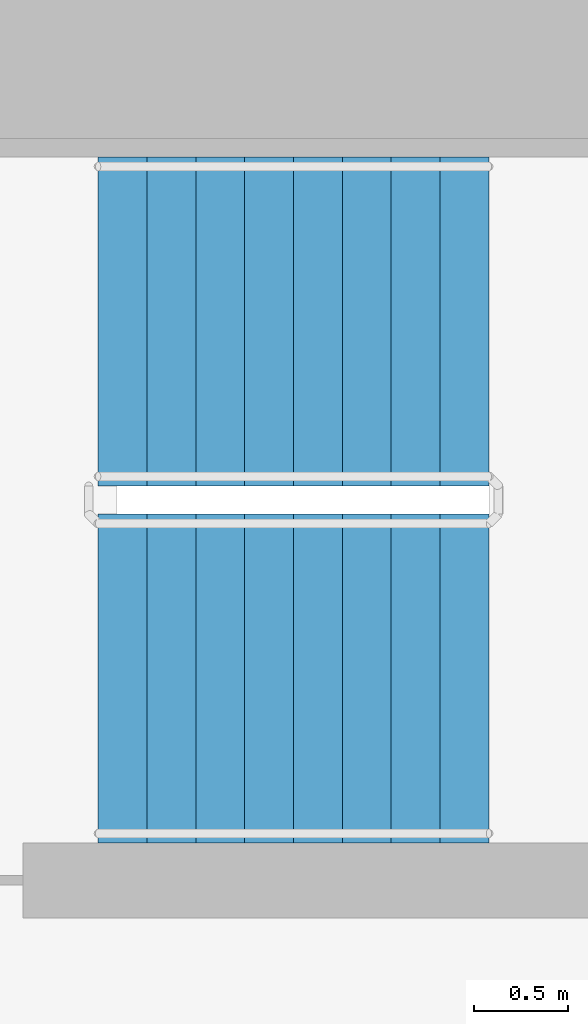
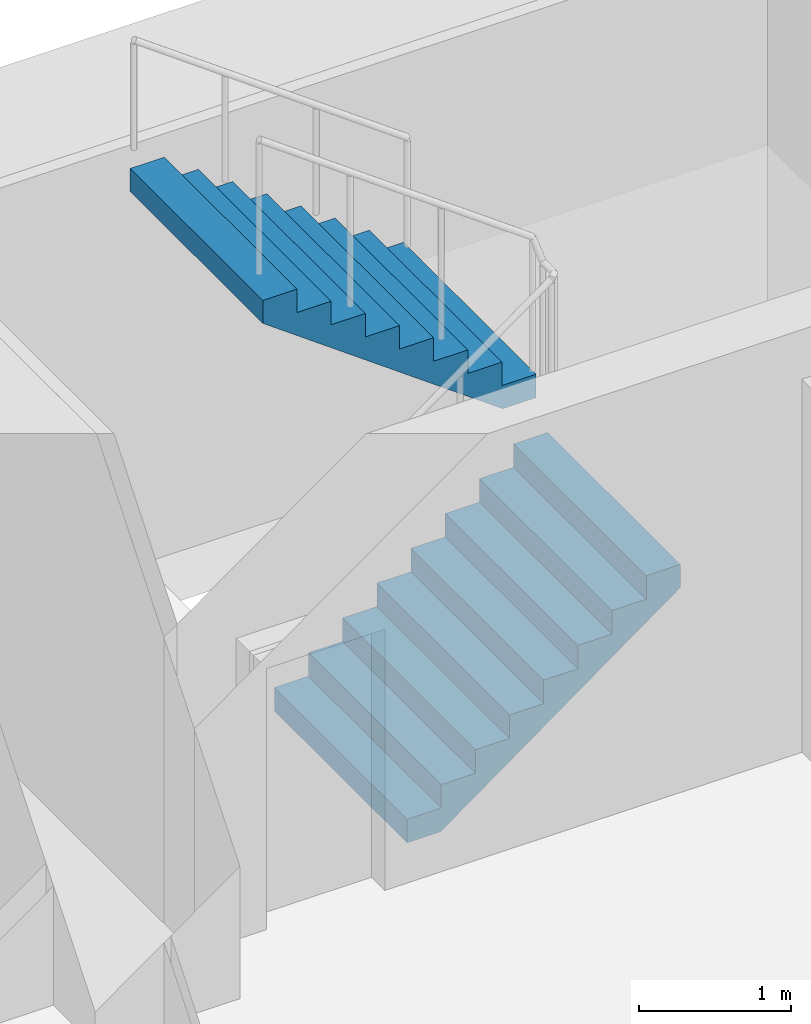
# One storey, part 18 of 22: 2 stair flights, 1 element without a shape of its own.
"""IFC4 building model written with IfcOpenShell, lengths in metres."""

from ifc_helpers import new_model, si_unit, direction, frame, origin, place, context, subcontext, project, spatial, faceted_brep, material, type_object, element, aggregate, save


model = new_model("IFC4")

# Units and contexts
model_context = context("Model", 3, precision=1e-05, world=origin(), true_north=direction((0.0, 1.0)))
body_context = subcontext(model_context, "Body", "Model", "MODEL_VIEW")
ifc_project = project(units=[si_unit("LENGTHUNIT", "METRE"), si_unit("AREAUNIT", "SQUARE_METRE"), si_unit("VOLUMEUNIT", "CUBIC_METRE"), si_unit("PLANEANGLEUNIT", "RADIAN"), si_unit("MASSUNIT", "GRAM", prefix="KILO")], contexts=[model_context])

# Site, building, storey
site_placement = place(None, origin())
site = spatial("IfcSite", under=ifc_project, at=site_placement, CompositionType="ELEMENT")
building_placement = place(site_placement, origin())
building = spatial("IfcBuilding", under=site, at=building_placement, Name="Ipe Terrace Towers", CompositionType="ELEMENT")
storey_placement = place(building_placement, frame((0.0, 0.0, 61.89990234375)))
storey = spatial("IfcBuildingStorey", under=building, at=storey_placement, Name="L16", CompositionType="ELEMENT", Elevation=61.89990234375)

# Stair, stair flights
ifc_material_1 = material(Name="Concrete C30/37", Category="concrete")
stair_type = type_object("IfcStairType", Name="Protected exit stair", PredefinedType="HALF_TURN_STAIR", material=ifc_material_1)
stair_placement = place(storey_placement, origin())
stair = element("IfcStair", 1, at=stair_placement, inside=storey, type_object=stair_type, Name="L16 Exit stair T1-C1", PredefinedType="HALF_TURN_STAIR")
ifc_material_2 = material(Name="Concrete C30/37", Category="concrete")
stair_flight_type = type_object("IfcStairFlightType", Name="Exit stair flight 1750", PredefinedType="STRAIGHT", material=ifc_material_2)
stair_flight_1_placement = place(storey_placement, frame((-26.300048828125, 2.77490234375, 0.0), z_axis=(0.0, 0.0, 1.0), x_axis=(1.0, 0.0, 0.0)))
stair_flight_1 = element("IfcStairFlight", 2, at=stair_flight_1_placement, type_object=stair_flight_type, Name="T1-ST1 flight 1", NumberOfRisers=9, NumberOfTreads=8, PredefinedType="STRAIGHT", RiserHeight=0.188888889, TreadLength=0.26, context=body_context, shape_type="Brep", body=[
    faceted_brep([(0.255126953125, -0.875, 0.0), (2.080078125, -0.875, 1.325927734375), (2.080078125, -0.875, 1.51123046875), (1.820068359375, -0.875, 1.51123046875), (1.820068359375, -0.875, 1.322265625), (1.56005859375, -0.875, 1.322265625), (1.56005859375, -0.875, 1.13330078125), (1.300048828125, -0.875, 1.13330078125), (1.300048828125, -0.875, 0.9443359375), (1.0400390625, -0.875, 0.9443359375), (1.0400390625, -0.875, 0.755615234375), (0.780029296875, -0.875, 0.755615234375), (0.780029296875, -0.875, 0.566650390625), (0.52001953125, -0.875, 0.566650390625), (0.52001953125, -0.875, 0.377685546875), (0.260009765625, -0.875, 0.377685546875), (0.260009765625, -0.875, 0.18896484375), (0.0, -0.875, 0.18896484375), (0.0, -0.875, 0.0), (0.0, 0.875, 0.0), (0.0, 0.875, 0.18896484375), (0.260009765625, 0.875, 0.18896484375), (0.260009765625, 0.875, 0.377685546875), (0.52001953125, 0.875, 0.377685546875), (0.52001953125, 0.875, 0.566650390625), (0.780029296875, 0.875, 0.566650390625), (0.780029296875, 0.875, 0.755615234375), (1.0400390625, 0.875, 0.755615234375), (1.0400390625, 0.875, 0.9443359375), (1.300048828125, 0.875, 0.9443359375), (1.300048828125, 0.875, 1.13330078125), (1.56005859375, 0.875, 1.13330078125), (1.56005859375, 0.875, 1.322265625), (1.820068359375, 0.875, 1.322265625), (1.820068359375, 0.875, 1.51123046875), (2.080078125, 0.875, 1.51123046875), (2.080078125, 0.875, 1.325927734375), (0.255126953125, 0.875, 0.0), (0.0, -0.300048828125, 0.18896484375), (0.0, -0.1201171875, 0.18896484375), (0.0, -0.06005859375, 0.18896484375), (0.0, -0.030029296875, 0.18896484375), (0.0, -0.010009765625, 0.18896484375), (0.0, 0.0, 0.18896484375), (0.0, 0.010009765625, 0.18896484375), (0.0, 0.030029296875, 0.18896484375), (0.0, 0.06005859375, 0.18896484375), (0.0, 0.1201171875, 0.18896484375), (0.0, 0.300048828125, 0.18896484375), (0.0, 0.300048828125, 0.0), (0.0, 0.1201171875, 0.0), (0.0, 0.06005859375, 0.0), (0.0, 0.030029296875, 0.0), (0.0, 0.010009765625, 0.0), (0.0, 0.0, 0.0), (0.0, -0.010009765625, 0.0), (0.0, -0.030029296875, 0.0), (0.0, -0.06005859375, 0.0), (0.0, -0.1201171875, 0.0), (0.0, -0.300048828125, 0.0), (0.260009765625, -0.300048828125, 0.18896484375), (0.260009765625, -0.1201171875, 0.18896484375), (0.260009765625, -0.06005859375, 0.18896484375), (0.260009765625, -0.030029296875, 0.18896484375), (0.260009765625, -0.010009765625, 0.18896484375), (0.260009765625, 0.0, 0.18896484375), (0.260009765625, 0.010009765625, 0.18896484375), (0.260009765625, 0.030029296875, 0.18896484375), (0.260009765625, 0.06005859375, 0.18896484375), (0.260009765625, 0.1201171875, 0.18896484375), (0.260009765625, 0.300048828125, 0.18896484375), (0.260009765625, -0.300048828125, 0.377685546875), (0.260009765625, -0.1201171875, 0.377685546875), (0.260009765625, -0.06005859375, 0.377685546875), (0.260009765625, -0.030029296875, 0.377685546875), (0.260009765625, -0.010009765625, 0.377685546875), (0.260009765625, 0.0, 0.377685546875), (0.260009765625, 0.010009765625, 0.377685546875), (0.260009765625, 0.030029296875, 0.377685546875), (0.260009765625, 0.06005859375, 0.377685546875), (0.260009765625, 0.1201171875, 0.377685546875), (0.260009765625, 0.300048828125, 0.377685546875), (0.52001953125, -0.300048828125, 0.377685546875), (0.52001953125, -0.1201171875, 0.377685546875), (0.52001953125, -0.06005859375, 0.377685546875), (0.52001953125, -0.030029296875, 0.377685546875), (0.52001953125, -0.010009765625, 0.377685546875), (0.52001953125, 0.0, 0.377685546875), (0.52001953125, 0.010009765625, 0.377685546875), (0.52001953125, 0.030029296875, 0.377685546875), (0.52001953125, 0.06005859375, 0.377685546875), (0.52001953125, 0.1201171875, 0.377685546875), (0.52001953125, 0.300048828125, 0.377685546875), (0.52001953125, -0.300048828125, 0.566650390625), (0.52001953125, -0.1201171875, 0.566650390625), (0.52001953125, -0.06005859375, 0.566650390625), (0.52001953125, -0.030029296875, 0.566650390625), (0.52001953125, -0.010009765625, 0.566650390625), (0.52001953125, 0.0, 0.566650390625), (0.52001953125, 0.010009765625, 0.566650390625), (0.52001953125, 0.030029296875, 0.566650390625), (0.52001953125, 0.06005859375, 0.566650390625), (0.52001953125, 0.1201171875, 0.566650390625), (0.52001953125, 0.300048828125, 0.566650390625), (0.780029296875, -0.300048828125, 0.566650390625), (0.780029296875, -0.1201171875, 0.566650390625), (0.780029296875, -0.06005859375, 0.566650390625), (0.780029296875, -0.030029296875, 0.566650390625), (0.780029296875, -0.010009765625, 0.566650390625), (0.780029296875, 0.0, 0.566650390625), (0.780029296875, 0.010009765625, 0.566650390625), (0.780029296875, 0.030029296875, 0.566650390625), (0.780029296875, 0.06005859375, 0.566650390625), (0.780029296875, 0.1201171875, 0.566650390625), (0.780029296875, 0.300048828125, 0.566650390625), (0.780029296875, -0.300048828125, 0.755615234375), (0.780029296875, -0.1201171875, 0.755615234375), (0.780029296875, -0.06005859375, 0.755615234375), (0.780029296875, -0.030029296875, 0.755615234375), (0.780029296875, -0.010009765625, 0.755615234375), (0.780029296875, 0.0, 0.755615234375), (0.780029296875, 0.010009765625, 0.755615234375), (0.780029296875, 0.030029296875, 0.755615234375), (0.780029296875, 0.06005859375, 0.755615234375), (0.780029296875, 0.1201171875, 0.755615234375), (0.780029296875, 0.300048828125, 0.755615234375), (1.0400390625, -0.300048828125, 0.755615234375), (1.0400390625, -0.1201171875, 0.755615234375), (1.0400390625, -0.06005859375, 0.755615234375), (1.0400390625, -0.030029296875, 0.755615234375), (1.0400390625, -0.010009765625, 0.755615234375), (1.0400390625, 0.0, 0.755615234375), (1.0400390625, 0.010009765625, 0.755615234375), (1.0400390625, 0.030029296875, 0.755615234375), (1.0400390625, 0.06005859375, 0.755615234375), (1.0400390625, 0.1201171875, 0.755615234375), (1.0400390625, 0.300048828125, 0.755615234375), (1.0400390625, -0.300048828125, 0.9443359375), (1.0400390625, -0.1201171875, 0.9443359375), (1.0400390625, -0.06005859375, 0.9443359375), (1.0400390625, -0.030029296875, 0.9443359375), (1.0400390625, -0.010009765625, 0.9443359375), (1.0400390625, 0.0, 0.9443359375), (1.0400390625, 0.010009765625, 0.9443359375), (1.0400390625, 0.030029296875, 0.9443359375), (1.0400390625, 0.06005859375, 0.9443359375), (1.0400390625, 0.1201171875, 0.9443359375), (1.0400390625, 0.300048828125, 0.9443359375), (1.300048828125, -0.300048828125, 0.9443359375), (1.300048828125, -0.1201171875, 0.9443359375), (1.300048828125, -0.06005859375, 0.9443359375), (1.300048828125, -0.030029296875, 0.9443359375), (1.300048828125, -0.010009765625, 0.9443359375), (1.300048828125, 0.0, 0.9443359375), (1.300048828125, 0.010009765625, 0.9443359375), (1.300048828125, 0.030029296875, 0.9443359375), (1.300048828125, 0.06005859375, 0.9443359375), (1.300048828125, 0.1201171875, 0.9443359375), (1.300048828125, 0.300048828125, 0.9443359375), (1.300048828125, -0.300048828125, 1.13330078125), (1.300048828125, -0.1201171875, 1.13330078125), (1.300048828125, -0.06005859375, 1.13330078125), (1.300048828125, -0.030029296875, 1.13330078125), (1.300048828125, -0.010009765625, 1.13330078125), (1.300048828125, 0.0, 1.13330078125), (1.300048828125, 0.010009765625, 1.13330078125), (1.300048828125, 0.030029296875, 1.13330078125), (1.300048828125, 0.06005859375, 1.13330078125), (1.300048828125, 0.1201171875, 1.13330078125), (1.300048828125, 0.300048828125, 1.13330078125), (1.56005859375, -0.300048828125, 1.13330078125), (1.56005859375, -0.1201171875, 1.13330078125), (1.56005859375, -0.06005859375, 1.13330078125), (1.56005859375, -0.030029296875, 1.13330078125), (1.56005859375, -0.010009765625, 1.13330078125), (1.56005859375, 0.0, 1.13330078125), (1.56005859375, 0.010009765625, 1.13330078125), (1.56005859375, 0.030029296875, 1.13330078125), (1.56005859375, 0.06005859375, 1.13330078125), (1.56005859375, 0.1201171875, 1.13330078125), (1.56005859375, 0.300048828125, 1.13330078125), (1.56005859375, -0.300048828125, 1.322265625), (1.56005859375, -0.1201171875, 1.322265625), (1.56005859375, -0.06005859375, 1.322265625), (1.56005859375, -0.030029296875, 1.322265625), (1.56005859375, -0.010009765625, 1.322265625), (1.56005859375, 0.0, 1.322265625), (1.56005859375, 0.010009765625, 1.322265625), (1.56005859375, 0.030029296875, 1.322265625), (1.56005859375, 0.06005859375, 1.322265625), (1.56005859375, 0.1201171875, 1.322265625), (1.56005859375, 0.300048828125, 1.322265625), (1.820068359375, -0.300048828125, 1.322265625), (1.820068359375, -0.1201171875, 1.322265625), (1.820068359375, -0.06005859375, 1.322265625), (1.820068359375, -0.030029296875, 1.322265625), (1.820068359375, -0.010009765625, 1.322265625), (1.820068359375, 0.0, 1.322265625), (1.820068359375, 0.010009765625, 1.322265625), (1.820068359375, 0.030029296875, 1.322265625), (1.820068359375, 0.06005859375, 1.322265625), (1.820068359375, 0.1201171875, 1.322265625), (1.820068359375, 0.300048828125, 1.322265625), (1.820068359375, -0.300048828125, 1.51123046875), (1.820068359375, -0.1201171875, 1.51123046875), (1.820068359375, -0.06005859375, 1.51123046875), (1.820068359375, -0.030029296875, 1.51123046875), (1.820068359375, -0.010009765625, 1.51123046875), (1.820068359375, 0.0, 1.51123046875), (1.820068359375, 0.010009765625, 1.51123046875), (1.820068359375, 0.030029296875, 1.51123046875), (1.820068359375, 0.06005859375, 1.51123046875), (1.820068359375, 0.1201171875, 1.51123046875), (1.820068359375, 0.300048828125, 1.51123046875), (2.080078125, -0.300048828125, 1.51123046875), (2.080078125, -0.1201171875, 1.51123046875), (2.080078125, -0.06005859375, 1.51123046875), (2.080078125, -0.030029296875, 1.51123046875), (2.080078125, -0.010009765625, 1.51123046875), (2.080078125, 0.0, 1.51123046875), (2.080078125, 0.010009765625, 1.51123046875), (2.080078125, 0.030029296875, 1.51123046875), (2.080078125, 0.06005859375, 1.51123046875), (2.080078125, 0.1201171875, 1.51123046875), (2.080078125, 0.300048828125, 1.51123046875), (2.080078125, -0.300048828125, 1.325927734375), (2.080078125, -0.1201171875, 1.325927734375), (2.080078125, -0.06005859375, 1.325927734375), (2.080078125, -0.030029296875, 1.325927734375), (2.080078125, -0.010009765625, 1.325927734375), (2.080078125, 0.0, 1.325927734375), (2.080078125, 0.010009765625, 1.325927734375), (2.080078125, 0.030029296875, 1.325927734375), (2.080078125, 0.06005859375, 1.325927734375), (2.080078125, 0.1201171875, 1.325927734375), (2.080078125, 0.300048828125, 1.325927734375), (0.255126953125, -0.300048828125, 0.0), (0.255126953125, -0.1201171875, 0.0), (0.255126953125, -0.06005859375, 0.0), (0.255126953125, -0.030029296875, 0.0), (0.255126953125, -0.010009765625, 0.0), (0.255126953125, 0.0, 0.0), (0.255126953125, 0.010009765625, 0.0), (0.255126953125, 0.030029296875, 0.0), (0.255126953125, 0.06005859375, 0.0), (0.255126953125, 0.1201171875, 0.0), (0.255126953125, 0.300048828125, 0.0)], [[[0, 1, 2, 3, 4, 5, 6, 7, 8, 9, 10, 11, 12, 13, 14, 15, 16, 17, 18]], [[19, 20, 21, 22, 23, 24, 25, 26, 27, 28, 29, 30, 31, 32, 33, 34, 35, 36, 37]], [[17, 38, 39, 40, 41, 42, 43, 44, 45, 46, 47, 48, 20, 19, 49, 50, 51, 52, 53, 54, 55, 56, 57, 58, 59, 18]], [[16, 60, 61, 62, 63, 64, 65, 66, 67, 68, 69, 70, 21, 20, 48, 47, 46, 45, 44, 43, 42, 41, 40, 39, 38, 17]], [[15, 71, 72, 73, 74, 75, 76, 77, 78, 79, 80, 81, 22, 21, 70, 69, 68, 67, 66, 65, 64, 63, 62, 61, 60, 16]], [[14, 82, 83, 84, 85, 86, 87, 88, 89, 90, 91, 92, 23, 22, 81, 80, 79, 78, 77, 76, 75, 74, 73, 72, 71, 15]], [[13, 93, 94, 95, 96, 97, 98, 99, 100, 101, 102, 103, 24, 23, 92, 91, 90, 89, 88, 87, 86, 85, 84, 83, 82, 14]], [[12, 104, 105, 106, 107, 108, 109, 110, 111, 112, 113, 114, 25, 24, 103, 102, 101, 100, 99, 98, 97, 96, 95, 94, 93, 13]], [[11, 115, 116, 117, 118, 119, 120, 121, 122, 123, 124, 125, 26, 25, 114, 113, 112, 111, 110, 109, 108, 107, 106, 105, 104, 12]], [[10, 126, 127, 128, 129, 130, 131, 132, 133, 134, 135, 136, 27, 26, 125, 124, 123, 122, 121, 120, 119, 118, 117, 116, 115, 11]], [[9, 137, 138, 139, 140, 141, 142, 143, 144, 145, 146, 147, 28, 27, 136, 135, 134, 133, 132, 131, 130, 129, 128, 127, 126, 10]], [[8, 148, 149, 150, 151, 152, 153, 154, 155, 156, 157, 158, 29, 28, 147, 146, 145, 144, 143, 142, 141, 140, 139, 138, 137, 9]], [[7, 159, 160, 161, 162, 163, 164, 165, 166, 167, 168, 169, 30, 29, 158, 157, 156, 155, 154, 153, 152, 151, 150, 149, 148, 8]], [[6, 170, 171, 172, 173, 174, 175, 176, 177, 178, 179, 180, 31, 30, 169, 168, 167, 166, 165, 164, 163, 162, 161, 160, 159, 7]], [[5, 181, 182, 183, 184, 185, 186, 187, 188, 189, 190, 191, 32, 31, 180, 179, 178, 177, 176, 175, 174, 173, 172, 171, 170, 6]], [[4, 192, 193, 194, 195, 196, 197, 198, 199, 200, 201, 202, 33, 32, 191, 190, 189, 188, 187, 186, 185, 184, 183, 182, 181, 5]], [[3, 203, 204, 205, 206, 207, 208, 209, 210, 211, 212, 213, 34, 33, 202, 201, 200, 199, 198, 197, 196, 195, 194, 193, 192, 4]], [[2, 214, 215, 216, 217, 218, 219, 220, 221, 222, 223, 224, 35, 34, 213, 212, 211, 210, 209, 208, 207, 206, 205, 204, 203, 3]], [[1, 225, 226, 227, 228, 229, 230, 231, 232, 233, 234, 235, 36, 35, 224, 223, 222, 221, 220, 219, 218, 217, 216, 215, 214, 2]], [[0, 236, 237, 238, 239, 240, 241, 242, 243, 244, 245, 246, 37, 36, 235, 234, 233, 232, 231, 230, 229, 228, 227, 226, 225, 1]], [[18, 59, 58, 57, 56, 55, 54, 53, 52, 51, 50, 49, 19, 37, 246, 245, 244, 243, 242, 241, 240, 239, 238, 237, 236, 0]]]),
])
stair_flight_2_placement = place(storey_placement, frame((-24.219970703125, 4.675048828125, 1.7001953125), z_axis=(0.0, 0.0, 1.0), x_axis=(-1.0, 0.0, 0.0)))
stair_flight_2 = element("IfcStairFlight", 3, at=stair_flight_2_placement, type_object=stair_flight_type, Name="T1-ST1 flight 2", NumberOfRisers=9, NumberOfTreads=8, PredefinedType="STRAIGHT", RiserHeight=0.188888889, TreadLength=0.26, context=body_context, shape_type="Brep", body=[
    faceted_brep([(0.255126953125, -0.875, 0.0), (2.080078125, -0.875, 1.325927734375), (2.080078125, -0.875, 1.51123046875), (1.820068359375, -0.875, 1.51123046875), (1.820068359375, -0.875, 1.322265625), (1.56005859375, -0.875, 1.322265625), (1.56005859375, -0.875, 1.13330078125), (1.300048828125, -0.875, 1.13330078125), (1.300048828125, -0.875, 0.9443359375), (1.0400390625, -0.875, 0.9443359375), (1.0400390625, -0.875, 0.755615234375), (0.780029296875, -0.875, 0.755615234375), (0.780029296875, -0.875, 0.566650390625), (0.52001953125, -0.875, 0.566650390625), (0.52001953125, -0.875, 0.377685546875), (0.260009765625, -0.875, 0.377685546875), (0.260009765625, -0.875, 0.18896484375), (0.0, -0.875, 0.18896484375), (0.0, -0.875, 0.0), (0.0, 0.875, 0.0), (0.0, 0.875, 0.18896484375), (0.260009765625, 0.875, 0.18896484375), (0.260009765625, 0.875, 0.377685546875), (0.52001953125, 0.875, 0.377685546875), (0.52001953125, 0.875, 0.566650390625), (0.780029296875, 0.875, 0.566650390625), (0.780029296875, 0.875, 0.755615234375), (1.0400390625, 0.875, 0.755615234375), (1.0400390625, 0.875, 0.9443359375), (1.300048828125, 0.875, 0.9443359375), (1.300048828125, 0.875, 1.13330078125), (1.56005859375, 0.875, 1.13330078125), (1.56005859375, 0.875, 1.322265625), (1.820068359375, 0.875, 1.322265625), (1.820068359375, 0.875, 1.51123046875), (2.080078125, 0.875, 1.51123046875), (2.080078125, 0.875, 1.325927734375), (0.255126953125, 0.875, 0.0), (0.0, -0.300048828125, 0.18896484375), (0.0, -0.1201171875, 0.18896484375), (0.0, -0.06005859375, 0.18896484375), (0.0, -0.030029296875, 0.18896484375), (0.0, -0.010009765625, 0.18896484375), (0.0, 0.0, 0.18896484375), (0.0, 0.010009765625, 0.18896484375), (0.0, 0.030029296875, 0.18896484375), (0.0, 0.06005859375, 0.18896484375), (0.0, 0.1201171875, 0.18896484375), (0.0, 0.300048828125, 0.18896484375), (0.0, 0.300048828125, 0.0), (0.0, 0.1201171875, 0.0), (0.0, 0.06005859375, 0.0), (0.0, 0.030029296875, 0.0), (0.0, 0.010009765625, 0.0), (0.0, 0.0, 0.0), (0.0, -0.010009765625, 0.0), (0.0, -0.030029296875, 0.0), (0.0, -0.06005859375, 0.0), (0.0, -0.1201171875, 0.0), (0.0, -0.300048828125, 0.0), (0.260009765625, -0.300048828125, 0.18896484375), (0.260009765625, -0.1201171875, 0.18896484375), (0.260009765625, -0.06005859375, 0.18896484375), (0.260009765625, -0.030029296875, 0.18896484375), (0.260009765625, -0.010009765625, 0.18896484375), (0.260009765625, 0.0, 0.18896484375), (0.260009765625, 0.010009765625, 0.18896484375), (0.260009765625, 0.030029296875, 0.18896484375), (0.260009765625, 0.06005859375, 0.18896484375), (0.260009765625, 0.1201171875, 0.18896484375), (0.260009765625, 0.300048828125, 0.18896484375), (0.260009765625, -0.300048828125, 0.377685546875), (0.260009765625, -0.1201171875, 0.377685546875), (0.260009765625, -0.06005859375, 0.377685546875), (0.260009765625, -0.030029296875, 0.377685546875), (0.260009765625, -0.010009765625, 0.377685546875), (0.260009765625, 0.0, 0.377685546875), (0.260009765625, 0.010009765625, 0.377685546875), (0.260009765625, 0.030029296875, 0.377685546875), (0.260009765625, 0.06005859375, 0.377685546875), (0.260009765625, 0.1201171875, 0.377685546875), (0.260009765625, 0.300048828125, 0.377685546875), (0.52001953125, -0.300048828125, 0.377685546875), (0.52001953125, -0.1201171875, 0.377685546875), (0.52001953125, -0.06005859375, 0.377685546875), (0.52001953125, -0.030029296875, 0.377685546875), (0.52001953125, -0.010009765625, 0.377685546875), (0.52001953125, 0.0, 0.377685546875), (0.52001953125, 0.010009765625, 0.377685546875), (0.52001953125, 0.030029296875, 0.377685546875), (0.52001953125, 0.06005859375, 0.377685546875), (0.52001953125, 0.1201171875, 0.377685546875), (0.52001953125, 0.300048828125, 0.377685546875), (0.52001953125, -0.300048828125, 0.566650390625), (0.52001953125, -0.1201171875, 0.566650390625), (0.52001953125, -0.06005859375, 0.566650390625), (0.52001953125, -0.030029296875, 0.566650390625), (0.52001953125, -0.010009765625, 0.566650390625), (0.52001953125, 0.0, 0.566650390625), (0.52001953125, 0.010009765625, 0.566650390625), (0.52001953125, 0.030029296875, 0.566650390625), (0.52001953125, 0.06005859375, 0.566650390625), (0.52001953125, 0.1201171875, 0.566650390625), (0.52001953125, 0.300048828125, 0.566650390625), (0.780029296875, -0.300048828125, 0.566650390625), (0.780029296875, -0.1201171875, 0.566650390625), (0.780029296875, -0.06005859375, 0.566650390625), (0.780029296875, -0.030029296875, 0.566650390625), (0.780029296875, -0.010009765625, 0.566650390625), (0.780029296875, 0.0, 0.566650390625), (0.780029296875, 0.010009765625, 0.566650390625), (0.780029296875, 0.030029296875, 0.566650390625), (0.780029296875, 0.06005859375, 0.566650390625), (0.780029296875, 0.1201171875, 0.566650390625), (0.780029296875, 0.300048828125, 0.566650390625), (0.780029296875, -0.300048828125, 0.755615234375), (0.780029296875, -0.1201171875, 0.755615234375), (0.780029296875, -0.06005859375, 0.755615234375), (0.780029296875, -0.030029296875, 0.755615234375), (0.780029296875, -0.010009765625, 0.755615234375), (0.780029296875, 0.0, 0.755615234375), (0.780029296875, 0.010009765625, 0.755615234375), (0.780029296875, 0.030029296875, 0.755615234375), (0.780029296875, 0.06005859375, 0.755615234375), (0.780029296875, 0.1201171875, 0.755615234375), (0.780029296875, 0.300048828125, 0.755615234375), (1.0400390625, -0.300048828125, 0.755615234375), (1.0400390625, -0.1201171875, 0.755615234375), (1.0400390625, -0.06005859375, 0.755615234375), (1.0400390625, -0.030029296875, 0.755615234375), (1.0400390625, -0.010009765625, 0.755615234375), (1.0400390625, 0.0, 0.755615234375), (1.0400390625, 0.010009765625, 0.755615234375), (1.0400390625, 0.030029296875, 0.755615234375), (1.0400390625, 0.06005859375, 0.755615234375), (1.0400390625, 0.1201171875, 0.755615234375), (1.0400390625, 0.300048828125, 0.755615234375), (1.0400390625, -0.300048828125, 0.9443359375), (1.0400390625, -0.1201171875, 0.9443359375), (1.0400390625, -0.06005859375, 0.9443359375), (1.0400390625, -0.030029296875, 0.9443359375), (1.0400390625, -0.010009765625, 0.9443359375), (1.0400390625, 0.0, 0.9443359375), (1.0400390625, 0.010009765625, 0.9443359375), (1.0400390625, 0.030029296875, 0.9443359375), (1.0400390625, 0.06005859375, 0.9443359375), (1.0400390625, 0.1201171875, 0.9443359375), (1.0400390625, 0.300048828125, 0.9443359375), (1.300048828125, -0.300048828125, 0.9443359375), (1.300048828125, -0.1201171875, 0.9443359375), (1.300048828125, -0.06005859375, 0.9443359375), (1.300048828125, -0.030029296875, 0.9443359375), (1.300048828125, -0.010009765625, 0.9443359375), (1.300048828125, 0.0, 0.9443359375), (1.300048828125, 0.010009765625, 0.9443359375), (1.300048828125, 0.030029296875, 0.9443359375), (1.300048828125, 0.06005859375, 0.9443359375), (1.300048828125, 0.1201171875, 0.9443359375), (1.300048828125, 0.300048828125, 0.9443359375), (1.300048828125, -0.300048828125, 1.13330078125), (1.300048828125, -0.1201171875, 1.13330078125), (1.300048828125, -0.06005859375, 1.13330078125), (1.300048828125, -0.030029296875, 1.13330078125), (1.300048828125, -0.010009765625, 1.13330078125), (1.300048828125, 0.0, 1.13330078125), (1.300048828125, 0.010009765625, 1.13330078125), (1.300048828125, 0.030029296875, 1.13330078125), (1.300048828125, 0.06005859375, 1.13330078125), (1.300048828125, 0.1201171875, 1.13330078125), (1.300048828125, 0.300048828125, 1.13330078125), (1.56005859375, -0.300048828125, 1.13330078125), (1.56005859375, -0.1201171875, 1.13330078125), (1.56005859375, -0.06005859375, 1.13330078125), (1.56005859375, -0.030029296875, 1.13330078125), (1.56005859375, -0.010009765625, 1.13330078125), (1.56005859375, 0.0, 1.13330078125), (1.56005859375, 0.010009765625, 1.13330078125), (1.56005859375, 0.030029296875, 1.13330078125), (1.56005859375, 0.06005859375, 1.13330078125), (1.56005859375, 0.1201171875, 1.13330078125), (1.56005859375, 0.300048828125, 1.13330078125), (1.56005859375, -0.300048828125, 1.322265625), (1.56005859375, -0.1201171875, 1.322265625), (1.56005859375, -0.06005859375, 1.322265625), (1.56005859375, -0.030029296875, 1.322265625), (1.56005859375, -0.010009765625, 1.322265625), (1.56005859375, 0.0, 1.322265625), (1.56005859375, 0.010009765625, 1.322265625), (1.56005859375, 0.030029296875, 1.322265625), (1.56005859375, 0.06005859375, 1.322265625), (1.56005859375, 0.1201171875, 1.322265625), (1.56005859375, 0.300048828125, 1.322265625), (1.820068359375, -0.300048828125, 1.322265625), (1.820068359375, -0.1201171875, 1.322265625), (1.820068359375, -0.06005859375, 1.322265625), (1.820068359375, -0.030029296875, 1.322265625), (1.820068359375, -0.010009765625, 1.322265625), (1.820068359375, 0.0, 1.322265625), (1.820068359375, 0.010009765625, 1.322265625), (1.820068359375, 0.030029296875, 1.322265625), (1.820068359375, 0.06005859375, 1.322265625), (1.820068359375, 0.1201171875, 1.322265625), (1.820068359375, 0.300048828125, 1.322265625), (1.820068359375, -0.300048828125, 1.51123046875), (1.820068359375, -0.1201171875, 1.51123046875), (1.820068359375, -0.06005859375, 1.51123046875), (1.820068359375, -0.030029296875, 1.51123046875), (1.820068359375, -0.010009765625, 1.51123046875), (1.820068359375, 0.0, 1.51123046875), (1.820068359375, 0.010009765625, 1.51123046875), (1.820068359375, 0.030029296875, 1.51123046875), (1.820068359375, 0.06005859375, 1.51123046875), (1.820068359375, 0.1201171875, 1.51123046875), (1.820068359375, 0.300048828125, 1.51123046875), (2.080078125, -0.300048828125, 1.51123046875), (2.080078125, -0.1201171875, 1.51123046875), (2.080078125, -0.06005859375, 1.51123046875), (2.080078125, -0.030029296875, 1.51123046875), (2.080078125, -0.010009765625, 1.51123046875), (2.080078125, 0.0, 1.51123046875), (2.080078125, 0.010009765625, 1.51123046875), (2.080078125, 0.030029296875, 1.51123046875), (2.080078125, 0.06005859375, 1.51123046875), (2.080078125, 0.1201171875, 1.51123046875), (2.080078125, 0.300048828125, 1.51123046875), (2.080078125, -0.300048828125, 1.325927734375), (2.080078125, -0.1201171875, 1.325927734375), (2.080078125, -0.06005859375, 1.325927734375), (2.080078125, -0.030029296875, 1.325927734375), (2.080078125, -0.010009765625, 1.325927734375), (2.080078125, 0.0, 1.325927734375), (2.080078125, 0.010009765625, 1.325927734375), (2.080078125, 0.030029296875, 1.325927734375), (2.080078125, 0.06005859375, 1.325927734375), (2.080078125, 0.1201171875, 1.325927734375), (2.080078125, 0.300048828125, 1.325927734375), (0.255126953125, -0.300048828125, 0.0), (0.255126953125, -0.1201171875, 0.0), (0.255126953125, -0.06005859375, 0.0), (0.255126953125, -0.030029296875, 0.0), (0.255126953125, -0.010009765625, 0.0), (0.255126953125, 0.0, 0.0), (0.255126953125, 0.010009765625, 0.0), (0.255126953125, 0.030029296875, 0.0), (0.255126953125, 0.06005859375, 0.0), (0.255126953125, 0.1201171875, 0.0), (0.255126953125, 0.300048828125, 0.0)], [[[0, 1, 2, 3, 4, 5, 6, 7, 8, 9, 10, 11, 12, 13, 14, 15, 16, 17, 18]], [[19, 20, 21, 22, 23, 24, 25, 26, 27, 28, 29, 30, 31, 32, 33, 34, 35, 36, 37]], [[17, 38, 39, 40, 41, 42, 43, 44, 45, 46, 47, 48, 20, 19, 49, 50, 51, 52, 53, 54, 55, 56, 57, 58, 59, 18]], [[16, 60, 61, 62, 63, 64, 65, 66, 67, 68, 69, 70, 21, 20, 48, 47, 46, 45, 44, 43, 42, 41, 40, 39, 38, 17]], [[15, 71, 72, 73, 74, 75, 76, 77, 78, 79, 80, 81, 22, 21, 70, 69, 68, 67, 66, 65, 64, 63, 62, 61, 60, 16]], [[14, 82, 83, 84, 85, 86, 87, 88, 89, 90, 91, 92, 23, 22, 81, 80, 79, 78, 77, 76, 75, 74, 73, 72, 71, 15]], [[13, 93, 94, 95, 96, 97, 98, 99, 100, 101, 102, 103, 24, 23, 92, 91, 90, 89, 88, 87, 86, 85, 84, 83, 82, 14]], [[12, 104, 105, 106, 107, 108, 109, 110, 111, 112, 113, 114, 25, 24, 103, 102, 101, 100, 99, 98, 97, 96, 95, 94, 93, 13]], [[11, 115, 116, 117, 118, 119, 120, 121, 122, 123, 124, 125, 26, 25, 114, 113, 112, 111, 110, 109, 108, 107, 106, 105, 104, 12]], [[10, 126, 127, 128, 129, 130, 131, 132, 133, 134, 135, 136, 27, 26, 125, 124, 123, 122, 121, 120, 119, 118, 117, 116, 115, 11]], [[9, 137, 138, 139, 140, 141, 142, 143, 144, 145, 146, 147, 28, 27, 136, 135, 134, 133, 132, 131, 130, 129, 128, 127, 126, 10]], [[8, 148, 149, 150, 151, 152, 153, 154, 155, 156, 157, 158, 29, 28, 147, 146, 145, 144, 143, 142, 141, 140, 139, 138, 137, 9]], [[7, 159, 160, 161, 162, 163, 164, 165, 166, 167, 168, 169, 30, 29, 158, 157, 156, 155, 154, 153, 152, 151, 150, 149, 148, 8]], [[6, 170, 171, 172, 173, 174, 175, 176, 177, 178, 179, 180, 31, 30, 169, 168, 167, 166, 165, 164, 163, 162, 161, 160, 159, 7]], [[5, 181, 182, 183, 184, 185, 186, 187, 188, 189, 190, 191, 32, 31, 180, 179, 178, 177, 176, 175, 174, 173, 172, 171, 170, 6]], [[4, 192, 193, 194, 195, 196, 197, 198, 199, 200, 201, 202, 33, 32, 191, 190, 189, 188, 187, 186, 185, 184, 183, 182, 181, 5]], [[3, 203, 204, 205, 206, 207, 208, 209, 210, 211, 212, 213, 34, 33, 202, 201, 200, 199, 198, 197, 196, 195, 194, 193, 192, 4]], [[2, 214, 215, 216, 217, 218, 219, 220, 221, 222, 223, 224, 35, 34, 213, 212, 211, 210, 209, 208, 207, 206, 205, 204, 203, 3]], [[1, 225, 226, 227, 228, 229, 230, 231, 232, 233, 234, 235, 36, 35, 224, 223, 222, 221, 220, 219, 218, 217, 216, 215, 214, 2]], [[0, 236, 237, 238, 239, 240, 241, 242, 243, 244, 245, 246, 37, 36, 235, 234, 233, 232, 231, 230, 229, 228, 227, 226, 225, 1]], [[18, 59, 58, 57, 56, 55, 54, 53, 52, 51, 50, 49, 19, 37, 246, 245, 244, 243, 242, 241, 240, 239, 238, 237, 236, 0]]]),
])
aggregate(stair, [stair_flight_1, stair_flight_2])

save(model, "model.ifc")
